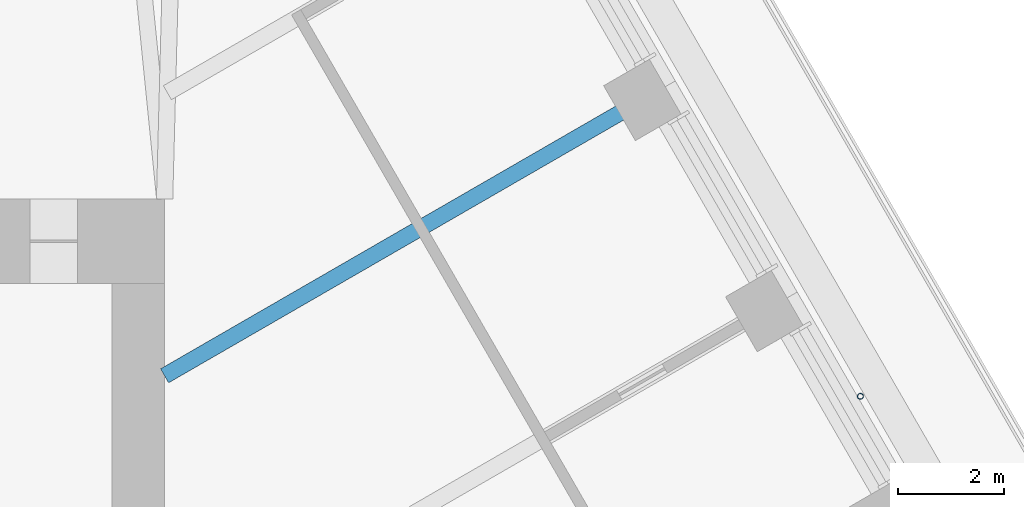
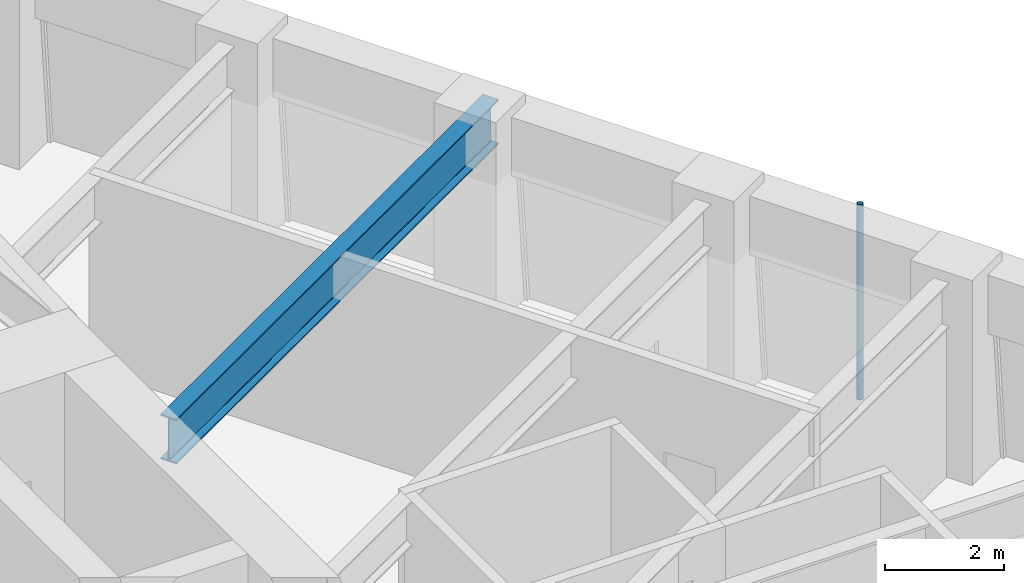
# One storey, part 10 of 20: 1 beam, 1 member.
"""IFC4 building model written with IfcOpenShell, lengths in metres."""

from ifc_helpers import new_model, si_unit, direction, frame, origin, origin_2d, place, context, subcontext, project, spatial, hollow_circle, i_section, extrude, material, material_profile, profile_set, type_object, element, save


model = new_model("IFC4")

# Units and contexts
model_context = context("Model", 3, precision=1e-05, world=origin(), true_north=direction((0.0, 1.0)))
body_context = subcontext(model_context, "Body", "Model", "MODEL_VIEW")
ifc_project = project(units=[si_unit("LENGTHUNIT", "METRE"), si_unit("AREAUNIT", "SQUARE_METRE"), si_unit("VOLUMEUNIT", "CUBIC_METRE"), si_unit("PLANEANGLEUNIT", "RADIAN"), si_unit("MASSUNIT", "GRAM", prefix="KILO")], contexts=[model_context])

# Site, building, storey
site_placement = place(None, origin())
site = spatial("IfcSite", under=ifc_project, at=site_placement, CompositionType="ELEMENT")
building_placement = place(site_placement, origin())
building = spatial("IfcBuilding", under=site, at=building_placement, Name="Tarfa Lantern Tower", CompositionType="ELEMENT")
storey_placement = place(building_placement, frame((0.0, 0.0, 257.5)))
storey = spatial("IfcBuildingStorey", under=building, at=storey_placement, Name="L58", CompositionType="ELEMENT", Elevation=257.5)

# Member
ifc_material_1 = material(Name="Steel S355", Category="steel")
ifc_material_profile_1 = material_profile(ifc_material_1, hollow_circle(Radius=0.05712890625, WallThickness=0.00634765625, at=origin_2d()), Name="CHS114.3x6.3")
ifc_profile_set_1 = profile_set([ifc_material_profile_1], Name="Steel S355")
member_type = type_object("IfcMemberType", Name="TR1 GREEN WALL TRELLIS CHS114.3x6.3", PredefinedType="USERDEFINED", material=ifc_profile_set_1)
member_placement = place(storey_placement, frame((28.682861328125, 8.56005859375, 0.0), z_axis=(0.0, 0.0, 1.0), x_axis=(1.0, 0.0, 0.0)))
element("IfcMember", 1, at=member_placement, inside=storey, type_object=member_type, Name="Trellis post NE 1", ObjectType="TRELLIS", PredefinedType="USERDEFINED", context=body_context, shape_type="SweptSolid", body=[
    extrude(hollow_circle(Radius=0.05712890625, WallThickness=0.00634765625, at=origin_2d()), origin(), (0.0, 0.0, 1.0), 4.0),
])

# Beam
ifc_material_2 = material(Name="Steel S460M", Category="steel")
ifc_material_profile_2 = material_profile(ifc_material_2, i_section(OverallWidth=0.305419921875, OverallDepth=0.91845703125, WebThickness=0.017333984375, FlangeThickness=0.02783203125, FilletRadius=0.01904296875, at=origin_2d()), Name="UB914x305x253")
ifc_profile_set_2 = profile_set([ifc_material_profile_2], Name="Steel S460M")
beam_type = type_object("IfcBeamType", Name="UB914x305x253", PredefinedType="BEAM", material=ifc_profile_set_2)
beam_placement = place(storey_placement, frame((24.872314453125, 14.360107421875, 3.540771484375), z_axis=(-0.8660244219, -0.500001700669, 0.0), x_axis=(0.500001700669, -0.8660244219, 0.0)))
element("IfcBeam", 2, at=beam_placement, inside=storey, type_object=beam_type, Name="Floor beam NE3", PredefinedType="BEAM", context=body_context, shape_type="SweptSolid", body=[
    extrude(i_section(OverallWidth=0.305419921875, OverallDepth=0.91845703125, WebThickness=0.017333984375, FlangeThickness=0.02783203125, FilletRadius=0.01904296875, at=origin_2d()), origin(), (0.0, 0.0, 1.0), 10.822265625),
])

save(model, "model.ifc")
